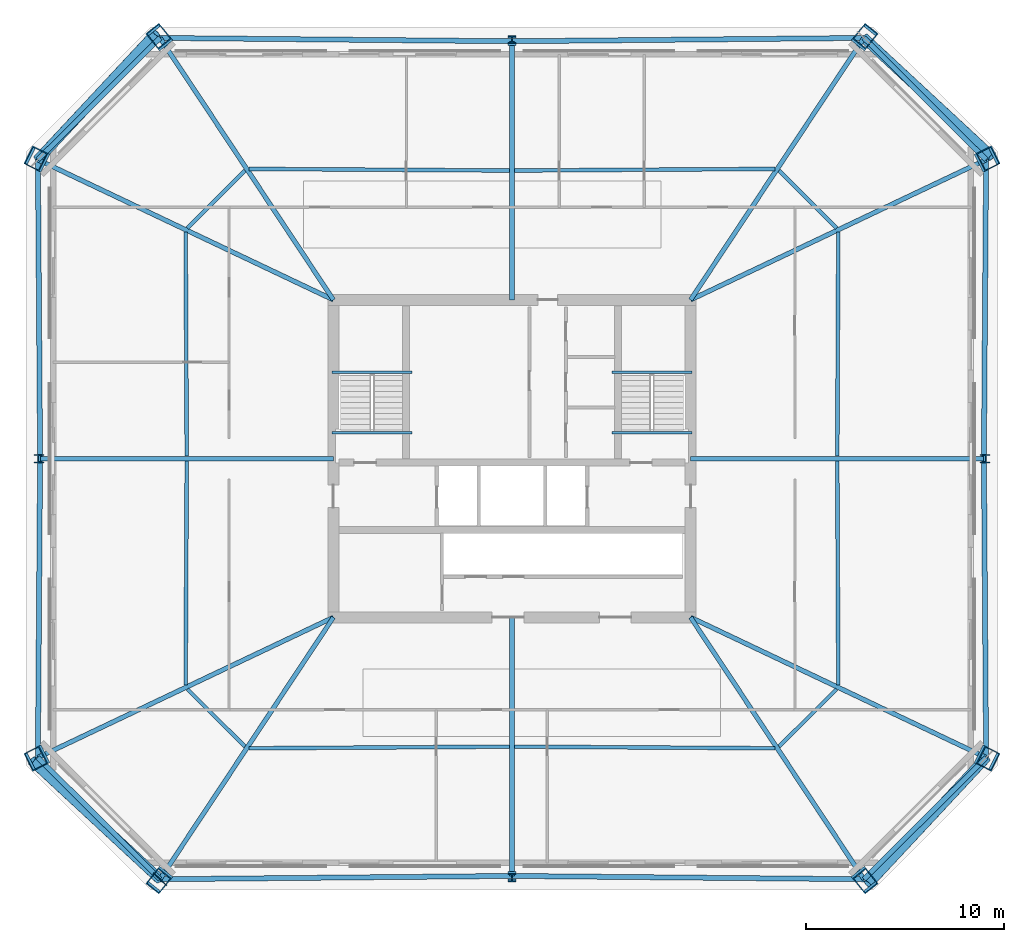
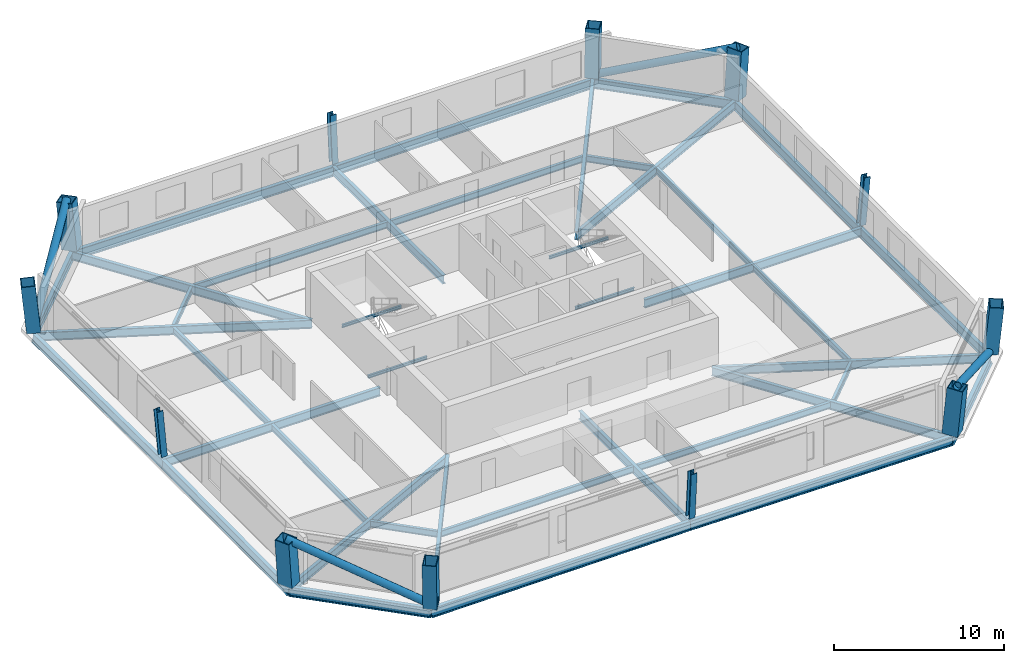
# One storey, part 1 of 7: 40 beams, 12 columns, 4 members, 1 plate.
"""IFC4 building model written with IfcOpenShell, lengths in metres."""

from ifc_helpers import new_model, si_unit, direction, frame, origin, origin_2d, place, context, subcontext, project, spatial, rectangle, hollow_rectangle, hollow_circle, i_section, extrude, material, layer, layer_set, material_profile, profile_set, type_object, element, save


model = new_model("IFC4")

# Units and contexts
model_context = context("Model", 3, precision=1e-05, world=origin(), true_north=direction((0.0, 1.0)))
body_context = subcontext(model_context, "Body", "Model", "MODEL_VIEW")
ifc_project = project(units=[si_unit("LENGTHUNIT", "METRE"), si_unit("AREAUNIT", "SQUARE_METRE"), si_unit("VOLUMEUNIT", "CUBIC_METRE"), si_unit("PLANEANGLEUNIT", "RADIAN"), si_unit("MASSUNIT", "GRAM", prefix="KILO")], contexts=[model_context])

# Site, building, storey
site_placement = place(None, origin())
site = spatial("IfcSite", under=ifc_project, at=site_placement, CompositionType="ELEMENT")
building_placement = place(site_placement, origin())
building = spatial("IfcBuilding", under=site, at=building_placement, Name="Caelvoria Tower", CompositionType="ELEMENT")
storey_placement = place(building_placement, frame((0.0, 0.0, 156.39990234375)))
storey = spatial("IfcBuildingStorey", under=building, at=storey_placement, Name="L41", CompositionType="ELEMENT", Elevation=156.39990234375)

# Columns
ifc_material_1 = material(Name="Structural Steel ASTM A572 Gr.50", Category="steel")
ifc_material_profile_1 = material_profile(ifc_material_1, hollow_rectangle(XDim=0.85009765625, YDim=1.0, WallThickness=0.050048828125, at=origin_2d()), Name="Structural Steel ASTM A572 Gr.50")
ifc_profile_set_1 = profile_set([ifc_material_profile_1], Name="BOX1000X850X50 - Structural Steel ASTM A572 Gr.50")
column_type_1 = type_object("IfcColumnType", Name="Mega Box Column 1000x850x50", PredefinedType="COLUMN", material=ifc_profile_set_1)
for number, where, z_axis, x_axis, name in (
    (1, (28.26220703125, 10.80224609375, 0.0), (-0.059345391748, -0.074109367256, 0.995482760355), (0.780571247111, -0.625066818975, 0.0), "Perimeter Megaframe Column L41-P00"),
    (2, (63.73779296875, 10.80224609375, 0.0), (0.059345391748, -0.074109367256, 0.995482760355), (0.780571247111, 0.625066818975, 0.0), "Perimeter Megaframe Column L41-P02"),
):
    element("IfcColumn", number, at=place(storey_placement, frame(where, z_axis=z_axis, x_axis=x_axis)), inside=storey, type_object=column_type_1, Name=name, PredefinedType="COLUMN", context=body_context, shape_type="SweptSolid", body=[
        extrude(hollow_rectangle(XDim=0.85009765625, YDim=1.0, WallThickness=0.050048828125, at=origin_2d()), origin(), (0.0, 0.0, 1.0), 3.373291015625),
    ])
for number, where, z_axis, x_axis, name in (
    (3, (69.89111328125, 16.93408203125, 0.0), (0.088690794811, -0.044634763783, 0.995058631829), (-0.888844480388, 0.447322222186, 0.099289068996), "Perimeter Megaframe Column L41-P03"),
    (4, (69.89111328125, 47.06591796875, 0.0), (0.088690794811, 0.044634763783, 0.995058631829), (-0.888844480388, -0.447322222186, 0.099289068996), "Perimeter Megaframe Column L41-P05"),
):
    element("IfcColumn", number, at=place(storey_placement, frame(where, z_axis=z_axis, x_axis=x_axis)), inside=storey, type_object=column_type_1, Name=name, PredefinedType="COLUMN", context=body_context, shape_type="SweptSolid", body=[
        extrude(hollow_rectangle(XDim=0.85009765625, YDim=1.0, WallThickness=0.050048828125, at=origin_2d()), origin(), (0.0, 0.0, 1.0), 3.374755859375),
    ])
for number, where, z_axis, x_axis, name in (
    (5, (63.73779296875, 53.19775390625, 0.0), (0.059345391748, 0.074109367256, 0.995482760355), (-0.780571247111, 0.625066818975, 0.0), "Perimeter Megaframe Column L41-P06"),
    (6, (28.26220703125, 53.19775390625, 0.0), (-0.059345391748, 0.074109367256, 0.995482760355), (-0.780571247111, -0.625066818975, 0.0), "Perimeter Megaframe Column L41-P08"),
):
    element("IfcColumn", number, at=place(storey_placement, frame(where, z_axis=z_axis, x_axis=x_axis)), inside=storey, type_object=column_type_1, Name=name, PredefinedType="COLUMN", context=body_context, shape_type="SweptSolid", body=[
        extrude(hollow_rectangle(XDim=0.85009765625, YDim=1.0, WallThickness=0.050048828125, at=origin_2d()), origin(), (0.0, 0.0, 1.0), 3.373291015625),
    ])
for number, where, z_axis, x_axis, name in (
    (7, (22.10888671875, 47.06591796875, 0.0), (-0.088690794811, 0.044634763783, 0.995058631829), (0.888844480388, -0.447322222186, 0.099289068996), "Perimeter Megaframe Column L41-P09"),
    (8, (22.10888671875, 16.93408203125, 0.0), (-0.088690794811, -0.044634763783, 0.995058631829), (0.888844480388, 0.447322222186, 0.099289068996), "Perimeter Megaframe Column L41-P11"),
):
    element("IfcColumn", number, at=place(storey_placement, frame(where, z_axis=z_axis, x_axis=x_axis)), inside=storey, type_object=column_type_1, Name=name, PredefinedType="COLUMN", context=body_context, shape_type="SweptSolid", body=[
        extrude(hollow_rectangle(XDim=0.85009765625, YDim=1.0, WallThickness=0.050048828125, at=origin_2d()), origin(), (0.0, 0.0, 1.0), 3.374755859375),
    ])
ifc_material_2 = material(Name="Structural Steel ASTM A992 Gr.50", Category="steel")
ifc_material_profile_2 = material_profile(ifc_material_2, i_section(OverallWidth=0.406005859375, OverallDepth=0.425048828125, WebThickness=0.03271484375, FlangeThickness=0.052490234375, FilletRadius=0.02490234375, at=origin_2d()), Name="Structural Steel ASTM A992 Gr.50")
ifc_profile_set_2 = profile_set([ifc_material_profile_2], Name="W360X421 - Structural Steel ASTM A992 Gr.50")
column_type_2 = type_object("IfcColumnType", Name="Mid Frame Column W360X421", PredefinedType="COLUMN", material=ifc_profile_set_2)
column_1_placement = place(storey_placement, frame((46.0, 10.969970703125, 0.0), z_axis=(0.0, -0.074240214963, 0.997240387511), x_axis=(1.0, 0.0, 0.0)))
element("IfcColumn", 9, at=column_1_placement, inside=storey, type_object=column_type_2, Name="Perimeter Megaframe Column L41-P01", PredefinedType="COLUMN", context=body_context, shape_type="SweptSolid", body=[
    extrude(i_section(OverallWidth=0.406005859375, OverallDepth=0.425048828125, WebThickness=0.03271484375, FlangeThickness=0.052490234375, FilletRadius=0.02490234375, at=origin_2d()), origin(), (0.0, 0.0, 1.0), 3.367431640625),
])
column_2_placement = place(storey_placement, frame((69.780029296875, 32.0, 0.0), z_axis=(0.088994797504, 0.0, 0.996032090857), x_axis=(-0.996032090857, 0.0, 0.088994797504)))
element("IfcColumn", 10, at=column_2_placement, inside=storey, type_object=column_type_2, Name="Perimeter Megaframe Column L41-P04", PredefinedType="COLUMN", context=body_context, shape_type="SweptSolid", body=[
    extrude(i_section(OverallWidth=0.406005859375, OverallDepth=0.425048828125, WebThickness=0.03271484375, FlangeThickness=0.052490234375, FilletRadius=0.02490234375, at=origin_2d()), origin(), (0.0, 0.0, 1.0), 3.37158203125),
])
column_3_placement = place(storey_placement, frame((46.0, 53.030029296875, 0.0), z_axis=(0.0, 0.074240214963, 0.997240387511), x_axis=(-1.0, 0.0, 0.0)))
element("IfcColumn", 11, at=column_3_placement, inside=storey, type_object=column_type_2, Name="Perimeter Megaframe Column L41-P07", PredefinedType="COLUMN", context=body_context, shape_type="SweptSolid", body=[
    extrude(i_section(OverallWidth=0.406005859375, OverallDepth=0.425048828125, WebThickness=0.03271484375, FlangeThickness=0.052490234375, FilletRadius=0.02490234375, at=origin_2d()), origin(), (0.0, 0.0, 1.0), 3.367431640625),
])
column_4_placement = place(storey_placement, frame((22.219970703125, 32.0, 0.0), z_axis=(-0.088994797504, 0.0, 0.996032090857), x_axis=(0.996032090857, 0.0, 0.088994797504)))
element("IfcColumn", 12, at=column_4_placement, inside=storey, type_object=column_type_2, Name="Perimeter Megaframe Column L41-P10", PredefinedType="COLUMN", context=body_context, shape_type="SweptSolid", body=[
    extrude(i_section(OverallWidth=0.406005859375, OverallDepth=0.425048828125, WebThickness=0.03271484375, FlangeThickness=0.052490234375, FilletRadius=0.02490234375, at=origin_2d()), origin(), (0.0, 0.0, 1.0), 3.37158203125),
])

# Beams
ifc_material_profile_3 = material_profile(ifc_material_2, i_section(OverallWidth=0.134033203125, OverallDepth=0.2099609375, WebThickness=0.00634765625, FlangeThickness=0.01025390625, FilletRadius=0.010009765625, at=origin_2d()), Name="Structural Steel ASTM A992 Gr.50")
ifc_profile_set_3 = profile_set([ifc_material_profile_3], Name="W200X31.3 - Structural Steel ASTM A992 Gr.50")
beam_type_1 = type_object("IfcBeamType", Name="Canopy Edge Trim Beam W200X31.3", PredefinedType="BEAM", material=ifc_profile_set_3)
for number, where, z_axis, x_axis, name in (
    (13, (36.929931640625, 36.35009765625, 1.4951171875), (1.0, 0.0, 0.0), (0.0, 1.0, 0.0), "ST-01 Half-Landing Support Beam L41"),
    (14, (36.929931640625, 33.300048828125, -0.304931640625), (1.0, 0.0, 0.0), (0.0, 1.0, 0.0), "ST-01 Floor-Landing Support Beam L41"),
    (15, (51.030029296875, 36.35009765625, 1.4951171875), (1.0, 0.0, 0.0), (0.0, 1.0, 0.0), "ST-02 Half-Landing Support Beam L41"),
    (16, (51.030029296875, 33.300048828125, -0.304931640625), (1.0, 0.0, 0.0), (0.0, 1.0, 0.0), "ST-02 Floor-Landing Support Beam L41"),
):
    element("IfcBeam", number, at=place(storey_placement, frame(where, z_axis=z_axis, x_axis=x_axis)), inside=storey, type_object=beam_type_1, Name=name, PredefinedType="BEAM", context=body_context, shape_type="SweptSolid", body=[
        extrude(i_section(OverallWidth=0.134033203125, OverallDepth=0.2099609375, WebThickness=0.00634765625, FlangeThickness=0.01025390625, FilletRadius=0.010009765625, at=origin_2d()), origin(), (0.0, 0.0, 1.0), 4.0400390625),
    ])

# Members
ifc_material_profile_4 = material_profile(ifc_material_1, hollow_circle(Radius=0.25390625, WallThickness=0.02001953125, at=origin_2d()), Name="Structural Steel ASTM A572 Gr.50")
ifc_profile_set_4 = profile_set([ifc_material_profile_4], Name="CHS508X20 - Structural Steel ASTM A572 Gr.50")
member_type = type_object("IfcMemberType", Name="Mid Perimeter Mega Brace CHS508X20", PredefinedType="BRACE", material=ifc_profile_set_4)
member_1_placement = place(storey_placement, frame((69.89111328125, 16.93408203125, 0.0), z_axis=(-0.636569176334, -0.682411346349, 0.359297144598), x_axis=(0.731241291659, -0.682118885073, 0.0)))
element("IfcMember", 17, at=member_1_placement, inside=storey, type_object=member_type, Name="Perimeter Chamfer Mega Brace L41 SE", PredefinedType="BRACE", context=body_context, shape_type="SweptSolid", body=[
    extrude(hollow_circle(Radius=0.25390625, WallThickness=0.02001953125, at=origin_2d()), origin(), (0.0, 0.0, 1.0), 9.351806640625),
])
member_2_placement = place(storey_placement, frame((63.73779296875, 53.19775390625, 0.0), z_axis=(0.685127601122, -0.635071551263, 0.356769246093), x_axis=(0.679807986992, 0.733390142299, 0.0)))
element("IfcMember", 18, at=member_2_placement, inside=storey, type_object=member_type, Name="Perimeter Chamfer Mega Brace L41 NE", PredefinedType="BRACE", context=body_context, shape_type="SweptSolid", body=[
    extrude(hollow_circle(Radius=0.25390625, WallThickness=0.02001953125, at=origin_2d()), origin(), (0.0, 0.0, 1.0), 9.418212890625),
])
member_3_placement = place(storey_placement, frame((22.10888671875, 47.06591796875, 0.0), z_axis=(0.636569176334, 0.682411346349, 0.359297144598), x_axis=(-0.731241291659, 0.682118885073, 0.0)))
element("IfcMember", 19, at=member_3_placement, inside=storey, type_object=member_type, Name="Perimeter Chamfer Mega Brace L41 NW", PredefinedType="BRACE", context=body_context, shape_type="SweptSolid", body=[
    extrude(hollow_circle(Radius=0.25390625, WallThickness=0.02001953125, at=origin_2d()), origin(), (0.0, 0.0, 1.0), 9.351806640625),
])
member_4_placement = place(storey_placement, frame((28.26220703125, 10.80224609375, 0.0), z_axis=(-0.685127601122, 0.635071551263, 0.356769246093), x_axis=(-0.679807986992, -0.733390142299, 0.0)))
element("IfcMember", 20, at=member_4_placement, inside=storey, type_object=member_type, Name="Perimeter Chamfer Mega Brace L41 SW", PredefinedType="BRACE", context=body_context, shape_type="SweptSolid", body=[
    extrude(hollow_circle(Radius=0.25390625, WallThickness=0.02001953125, at=origin_2d()), origin(), (0.0, 0.0, 1.0), 9.418212890625),
])

# Beams
ifc_material_profile_5 = material_profile(ifc_material_2, i_section(OverallWidth=0.25390625, OverallDepth=0.68798828125, WebThickness=0.01318359375, FlangeThickness=0.02099609375, FilletRadius=0.01904296875, at=origin_2d()), Name="Structural Steel ASTM A992 Gr.50")
ifc_profile_set_5 = profile_set([ifc_material_profile_5], Name="W690X152 - Structural Steel ASTM A992 Gr.50")
beam_type_2 = type_object("IfcBeamType", Name="Perimeter Spandrel Girder W690X152", PredefinedType="BEAM", material=ifc_profile_set_5)
for number, where, z_axis, x_axis, name in (
    (21, (28.26220703125, 10.80224609375, -0.583984375), (0.999955297141, 0.009455353995, 0.0), (-0.009455353995, 0.999955297141, 0.0), "Perimeter Spandrel Girder L41-00"),
    (22, (46.0, 10.969970703125, -0.583984375), (0.999955297141, -0.009455353995, 0.0), (0.009455353995, 0.999955297141, 0.0), "Perimeter Spandrel Girder L41-01"),
):
    element("IfcBeam", number, at=place(storey_placement, frame(where, z_axis=z_axis, x_axis=x_axis)), inside=storey, type_object=beam_type_2, Name=name, PredefinedType="BEAM", context=body_context, shape_type="SweptSolid", body=[
        extrude(i_section(OverallWidth=0.25390625, OverallDepth=0.68798828125, WebThickness=0.01318359375, FlangeThickness=0.02099609375, FilletRadius=0.01904296875, at=origin_2d()), origin(), (0.0, 0.0, 1.0), 17.738525390625),
    ])
beam_1_placement = place(storey_placement, frame((63.73779296875, 10.80224609375, -0.583984375), z_axis=(0.708342291751, 0.705869108063, 0.0), x_axis=(-0.705869108063, 0.708342291751, 0.0)))
element("IfcBeam", 23, at=beam_1_placement, inside=storey, type_object=beam_type_2, Name="Perimeter Spandrel Girder L41-02", PredefinedType="BEAM", context=body_context, shape_type="SweptSolid", body=[
    extrude(i_section(OverallWidth=0.25390625, OverallDepth=0.68798828125, WebThickness=0.01318359375, FlangeThickness=0.02099609375, FilletRadius=0.01904296875, at=origin_2d()), origin(), (0.0, 0.0, 1.0), 8.68701171875),
])
for number, where, z_axis, x_axis, name in (
    (24, (69.89111328125, 16.93408203125, -0.583984375), (-0.007372996803, 0.99997281909, 0.0), (-0.99997281909, -0.007372996803, 0.0), "Perimeter Spandrel Girder L41-03"),
    (25, (69.780029296875, 32.0, -0.583984375), (0.007372996803, 0.99997281909, 0.0), (-0.99997281909, 0.007372996803, 0.0), "Perimeter Spandrel Girder L41-04"),
):
    element("IfcBeam", number, at=place(storey_placement, frame(where, z_axis=z_axis, x_axis=x_axis)), inside=storey, type_object=beam_type_2, Name=name, PredefinedType="BEAM", context=body_context, shape_type="SweptSolid", body=[
        extrude(i_section(OverallWidth=0.25390625, OverallDepth=0.68798828125, WebThickness=0.01318359375, FlangeThickness=0.02099609375, FilletRadius=0.01904296875, at=origin_2d()), origin(), (0.0, 0.0, 1.0), 15.06640625),
    ])
beam_2_placement = place(storey_placement, frame((69.89111328125, 47.06591796875, -0.583984375), z_axis=(-0.708342291751, 0.705869108063, 0.0), x_axis=(-0.705869108063, -0.708342291751, 0.0)))
element("IfcBeam", 26, at=beam_2_placement, inside=storey, type_object=beam_type_2, Name="Perimeter Spandrel Girder L41-05", PredefinedType="BEAM", context=body_context, shape_type="SweptSolid", body=[
    extrude(i_section(OverallWidth=0.25390625, OverallDepth=0.68798828125, WebThickness=0.01318359375, FlangeThickness=0.02099609375, FilletRadius=0.01904296875, at=origin_2d()), origin(), (0.0, 0.0, 1.0), 8.68701171875),
])
for number, where, z_axis, x_axis, name in (
    (27, (63.73779296875, 53.19775390625, -0.583984375), (-0.999955297141, -0.009455353995, 0.0), (0.009455353995, -0.999955297141, 0.0), "Perimeter Spandrel Girder L41-06"),
    (28, (46.0, 53.030029296875, -0.583984375), (-0.999955297141, 0.009455353995, 0.0), (-0.009455353995, -0.999955297141, 0.0), "Perimeter Spandrel Girder L41-07"),
):
    element("IfcBeam", number, at=place(storey_placement, frame(where, z_axis=z_axis, x_axis=x_axis)), inside=storey, type_object=beam_type_2, Name=name, PredefinedType="BEAM", context=body_context, shape_type="SweptSolid", body=[
        extrude(i_section(OverallWidth=0.25390625, OverallDepth=0.68798828125, WebThickness=0.01318359375, FlangeThickness=0.02099609375, FilletRadius=0.01904296875, at=origin_2d()), origin(), (0.0, 0.0, 1.0), 17.738525390625),
    ])
beam_3_placement = place(storey_placement, frame((28.26220703125, 53.19775390625, -0.583984375), z_axis=(-0.708342291751, -0.705869108063, 0.0), x_axis=(0.705869108063, -0.708342291751, 0.0)))
element("IfcBeam", 29, at=beam_3_placement, inside=storey, type_object=beam_type_2, Name="Perimeter Spandrel Girder L41-08", PredefinedType="BEAM", context=body_context, shape_type="SweptSolid", body=[
    extrude(i_section(OverallWidth=0.25390625, OverallDepth=0.68798828125, WebThickness=0.01318359375, FlangeThickness=0.02099609375, FilletRadius=0.01904296875, at=origin_2d()), origin(), (0.0, 0.0, 1.0), 8.68701171875),
])
for number, where, z_axis, x_axis, name in (
    (30, (22.10888671875, 47.06591796875, -0.583984375), (0.007372996803, -0.99997281909, 0.0), (0.99997281909, 0.007372996803, 0.0), "Perimeter Spandrel Girder L41-09"),
    (31, (22.219970703125, 32.0, -0.583984375), (-0.007372996803, -0.99997281909, 0.0), (0.99997281909, -0.007372996803, 0.0), "Perimeter Spandrel Girder L41-10"),
):
    element("IfcBeam", number, at=place(storey_placement, frame(where, z_axis=z_axis, x_axis=x_axis)), inside=storey, type_object=beam_type_2, Name=name, PredefinedType="BEAM", context=body_context, shape_type="SweptSolid", body=[
        extrude(i_section(OverallWidth=0.25390625, OverallDepth=0.68798828125, WebThickness=0.01318359375, FlangeThickness=0.02099609375, FilletRadius=0.01904296875, at=origin_2d()), origin(), (0.0, 0.0, 1.0), 15.06640625),
    ])
beam_4_placement = place(storey_placement, frame((22.10888671875, 16.93408203125, -0.583984375), z_axis=(0.708342291751, -0.705869108063, 0.0), x_axis=(0.705869108063, 0.708342291751, 0.0)))
element("IfcBeam", 32, at=beam_4_placement, inside=storey, type_object=beam_type_2, Name="Perimeter Spandrel Girder L41-11", PredefinedType="BEAM", context=body_context, shape_type="SweptSolid", body=[
    extrude(i_section(OverallWidth=0.25390625, OverallDepth=0.68798828125, WebThickness=0.01318359375, FlangeThickness=0.02099609375, FilletRadius=0.01904296875, at=origin_2d()), origin(), (0.0, 0.0, 1.0), 8.68701171875),
])
ifc_material_profile_6 = material_profile(ifc_material_2, i_section(OverallWidth=0.22900390625, OverallDepth=0.612060546875, WebThickness=0.011962890625, FlangeThickness=0.01953125, FilletRadius=0.01806640625, at=origin_2d()), Name="Structural Steel ASTM A992 Gr.50")
ifc_profile_set_6 = profile_set([ifc_material_profile_6], Name="W610X125 - Structural Steel ASTM A992 Gr.50")
beam_type_3 = type_object("IfcBeamType", Name="Primary Radial Floor Girder W610X125", PredefinedType="BEAM", material=ifc_profile_set_6)
beam_5_placement = place(storey_placement, frame((37.0, 24.0, -0.5458984375), z_axis=(-0.552041988613, -0.83381631239, 0.0), x_axis=(0.83381631239, -0.552041988613, 0.0)))
element("IfcBeam", 33, at=beam_5_placement, inside=storey, type_object=beam_type_3, Name="Primary Floor Girder L41-00", PredefinedType="BEAM", context=body_context, shape_type="SweptSolid", body=[
    extrude(i_section(OverallWidth=0.22900390625, OverallDepth=0.612060546875, WebThickness=0.011962890625, FlangeThickness=0.01953125, FilletRadius=0.01806640625, at=origin_2d()), origin(), (0.0, 0.0, 1.0), 15.828125),
])
beam_6_placement = place(storey_placement, frame((46.0, 24.0, -0.5458984375), z_axis=(0.0, -1.0, 0.0), x_axis=(1.0, 0.0, 0.0)))
element("IfcBeam", 34, at=beam_6_placement, inside=storey, type_object=beam_type_3, Name="Primary Floor Girder L41-01", PredefinedType="BEAM", context=body_context, shape_type="SweptSolid", body=[
    extrude(i_section(OverallWidth=0.22900390625, OverallDepth=0.612060546875, WebThickness=0.011962890625, FlangeThickness=0.01953125, FilletRadius=0.01806640625, at=origin_2d()), origin(), (0.0, 0.0, 1.0), 13.030029296875),
])
beam_7_placement = place(storey_placement, frame((55.0, 24.0, -0.5458984375), z_axis=(0.552041988613, -0.83381631239, 0.0), x_axis=(0.83381631239, 0.552041988613, 0.0)))
element("IfcBeam", 35, at=beam_7_placement, inside=storey, type_object=beam_type_3, Name="Primary Floor Girder L41-02", PredefinedType="BEAM", context=body_context, shape_type="SweptSolid", body=[
    extrude(i_section(OverallWidth=0.22900390625, OverallDepth=0.612060546875, WebThickness=0.011962890625, FlangeThickness=0.01953125, FilletRadius=0.01806640625, at=origin_2d()), origin(), (0.0, 0.0, 1.0), 15.828125),
])
beam_8_placement = place(storey_placement, frame((55.0, 24.0, -0.5458984375), z_axis=(0.903450508343, -0.428692406015, 0.0), x_axis=(0.428692406015, 0.903450508343, 0.0)))
element("IfcBeam", 36, at=beam_8_placement, inside=storey, type_object=beam_type_3, Name="Primary Floor Girder L41-03", PredefinedType="BEAM", context=body_context, shape_type="SweptSolid", body=[
    extrude(i_section(OverallWidth=0.22900390625, OverallDepth=0.612060546875, WebThickness=0.011962890625, FlangeThickness=0.01953125, FilletRadius=0.01806640625, at=origin_2d()), origin(), (0.0, 0.0, 1.0), 16.482421875),
])
beam_9_placement = place(storey_placement, frame((55.0, 32.0, -0.5458984375), z_axis=(1.0, 0.0, 0.0), x_axis=(0.0, 1.0, 0.0)))
element("IfcBeam", 37, at=beam_9_placement, inside=storey, type_object=beam_type_3, Name="Primary Floor Girder L41-04", PredefinedType="BEAM", context=body_context, shape_type="SweptSolid", body=[
    extrude(i_section(OverallWidth=0.22900390625, OverallDepth=0.612060546875, WebThickness=0.011962890625, FlangeThickness=0.01953125, FilletRadius=0.01806640625, at=origin_2d()), origin(), (0.0, 0.0, 1.0), 14.780029296875),
])
beam_10_placement = place(storey_placement, frame((55.0, 40.0, -0.5458984375), z_axis=(0.903450508343, 0.428692406015, 0.0), x_axis=(-0.428692406015, 0.903450508343, 0.0)))
element("IfcBeam", 38, at=beam_10_placement, inside=storey, type_object=beam_type_3, Name="Primary Floor Girder L41-05", PredefinedType="BEAM", context=body_context, shape_type="SweptSolid", body=[
    extrude(i_section(OverallWidth=0.22900390625, OverallDepth=0.612060546875, WebThickness=0.011962890625, FlangeThickness=0.01953125, FilletRadius=0.01806640625, at=origin_2d()), origin(), (0.0, 0.0, 1.0), 16.482421875),
])
beam_11_placement = place(storey_placement, frame((55.0, 40.0, -0.5458984375), z_axis=(0.552041988613, 0.83381631239, 0.0), x_axis=(-0.83381631239, 0.552041988613, 0.0)))
element("IfcBeam", 39, at=beam_11_placement, inside=storey, type_object=beam_type_3, Name="Primary Floor Girder L41-06", PredefinedType="BEAM", context=body_context, shape_type="SweptSolid", body=[
    extrude(i_section(OverallWidth=0.22900390625, OverallDepth=0.612060546875, WebThickness=0.011962890625, FlangeThickness=0.01953125, FilletRadius=0.01806640625, at=origin_2d()), origin(), (0.0, 0.0, 1.0), 15.828125),
])
beam_12_placement = place(storey_placement, frame((46.0, 40.0, -0.5458984375), z_axis=(0.0, 1.0, 0.0), x_axis=(-1.0, 0.0, 0.0)))
element("IfcBeam", 40, at=beam_12_placement, inside=storey, type_object=beam_type_3, Name="Primary Floor Girder L41-07", PredefinedType="BEAM", context=body_context, shape_type="SweptSolid", body=[
    extrude(i_section(OverallWidth=0.22900390625, OverallDepth=0.612060546875, WebThickness=0.011962890625, FlangeThickness=0.01953125, FilletRadius=0.01806640625, at=origin_2d()), origin(), (0.0, 0.0, 1.0), 13.030029296875),
])
beam_13_placement = place(storey_placement, frame((37.0, 40.0, -0.5458984375), z_axis=(-0.552041988613, 0.83381631239, 0.0), x_axis=(-0.83381631239, -0.552041988613, 0.0)))
element("IfcBeam", 41, at=beam_13_placement, inside=storey, type_object=beam_type_3, Name="Primary Floor Girder L41-08", PredefinedType="BEAM", context=body_context, shape_type="SweptSolid", body=[
    extrude(i_section(OverallWidth=0.22900390625, OverallDepth=0.612060546875, WebThickness=0.011962890625, FlangeThickness=0.01953125, FilletRadius=0.01806640625, at=origin_2d()), origin(), (0.0, 0.0, 1.0), 15.828125),
])
beam_14_placement = place(storey_placement, frame((37.0, 40.0, -0.5458984375), z_axis=(-0.903450508343, 0.428692406015, 0.0), x_axis=(-0.428692406015, -0.903450508343, 0.0)))
element("IfcBeam", 42, at=beam_14_placement, inside=storey, type_object=beam_type_3, Name="Primary Floor Girder L41-09", PredefinedType="BEAM", context=body_context, shape_type="SweptSolid", body=[
    extrude(i_section(OverallWidth=0.22900390625, OverallDepth=0.612060546875, WebThickness=0.011962890625, FlangeThickness=0.01953125, FilletRadius=0.01806640625, at=origin_2d()), origin(), (0.0, 0.0, 1.0), 16.482421875),
])
beam_15_placement = place(storey_placement, frame((37.0, 32.0, -0.5458984375), z_axis=(-1.0, 0.0, 0.0), x_axis=(0.0, -1.0, 0.0)))
element("IfcBeam", 43, at=beam_15_placement, inside=storey, type_object=beam_type_3, Name="Primary Floor Girder L41-10", PredefinedType="BEAM", context=body_context, shape_type="SweptSolid", body=[
    extrude(i_section(OverallWidth=0.22900390625, OverallDepth=0.612060546875, WebThickness=0.011962890625, FlangeThickness=0.01953125, FilletRadius=0.01806640625, at=origin_2d()), origin(), (0.0, 0.0, 1.0), 14.780029296875),
])
beam_16_placement = place(storey_placement, frame((37.0, 24.0, -0.5458984375), z_axis=(-0.903450508343, -0.428692406015, 0.0), x_axis=(0.428692406015, -0.903450508343, 0.0)))
element("IfcBeam", 44, at=beam_16_placement, inside=storey, type_object=beam_type_3, Name="Primary Floor Girder L41-11", PredefinedType="BEAM", context=body_context, shape_type="SweptSolid", body=[
    extrude(i_section(OverallWidth=0.22900390625, OverallDepth=0.612060546875, WebThickness=0.011962890625, FlangeThickness=0.01953125, FilletRadius=0.01806640625, at=origin_2d()), origin(), (0.0, 0.0, 1.0), 16.482421875),
])
ifc_material_profile_7 = material_profile(ifc_material_2, i_section(OverallWidth=0.18994140625, OverallDepth=0.45703125, WebThickness=0.009033203125, FlangeThickness=0.014404296875, FilletRadius=0.014892578125, at=origin_2d()), Name="Structural Steel ASTM A992 Gr.50")
ifc_profile_set_7 = profile_set([ifc_material_profile_7], Name="W460X74 - Structural Steel ASTM A992 Gr.50")
beam_type_4 = type_object("IfcBeamType", Name="Secondary Floor Beam W460X74", PredefinedType="BEAM", material=ifc_profile_set_7)
for number, where, z_axis, x_axis, name in (
    (45, (32.756103515625, 17.40185546875, -0.468505859375), (0.999980334613, 0.006271394301, 0.0), (-0.006271394301, 0.999980334613, 0.0), "Secondary Floor Beam L41-00"),
    (46, (46.125, 17.484130859375, -0.468505859375), (0.999980334613, -0.006271394301, 0.0), (0.006271394301, 0.999980334613, 0.0), "Secondary Floor Beam L41-01"),
):
    element("IfcBeam", number, at=place(storey_placement, frame(where, z_axis=z_axis, x_axis=x_axis)), inside=storey, type_object=beam_type_4, Name=name, PredefinedType="BEAM", context=body_context, shape_type="SweptSolid", body=[
        extrude(i_section(OverallWidth=0.18994140625, OverallDepth=0.45703125, WebThickness=0.009033203125, FlangeThickness=0.014404296875, FilletRadius=0.014892578125, at=origin_2d()), origin(), (0.0, 0.0, 1.0), 13.119140625),
    ])
beam_17_placement = place(storey_placement, frame((59.45751953125, 17.4892578125, -0.468505859375), z_axis=(0.708298598602, 0.705912951587, 0.0), x_axis=(-0.705912951587, 0.708298598602, 0.0)))
element("IfcBeam", 47, at=beam_17_placement, inside=storey, type_object=beam_type_4, Name="Secondary Floor Beam L41-02", PredefinedType="BEAM", context=body_context, shape_type="SweptSolid", body=[
    extrude(i_section(OverallWidth=0.18994140625, OverallDepth=0.45703125, WebThickness=0.009033203125, FlangeThickness=0.014404296875, FilletRadius=0.014892578125, at=origin_2d()), origin(), (0.0, 0.0, 1.0), 4.093505859375),
])
for number, where, z_axis, x_axis, name in (
    (48, (62.44482421875, 20.592041015625, -0.468505859375), (-0.004803579763, 0.999988462744, 0.0), (-0.999988462744, -0.004803579763, 0.0), "Secondary Floor Beam L41-03"),
    (49, (62.390625, 32.125, -0.468505859375), (0.004803579763, 0.999988462744, 0.0), (-0.999988462744, 0.004803579763, 0.0), "Secondary Floor Beam L41-04"),
):
    element("IfcBeam", number, at=place(storey_placement, frame(where, z_axis=z_axis, x_axis=x_axis)), inside=storey, type_object=beam_type_4, Name=name, PredefinedType="BEAM", context=body_context, shape_type="SweptSolid", body=[
        extrude(i_section(OverallWidth=0.18994140625, OverallDepth=0.45703125, WebThickness=0.009033203125, FlangeThickness=0.014404296875, FilletRadius=0.014892578125, at=origin_2d()), origin(), (0.0, 0.0, 1.0), 11.283203125),
    ])
beam_18_placement = place(storey_placement, frame((62.35693359375, 43.62109375, -0.468505859375), z_axis=(-0.708298598602, 0.705912951587, 0.0), x_axis=(-0.705912951587, -0.708298598602, 0.0)))
element("IfcBeam", 50, at=beam_18_placement, inside=storey, type_object=beam_type_4, Name="Secondary Floor Beam L41-05", PredefinedType="BEAM", context=body_context, shape_type="SweptSolid", body=[
    extrude(i_section(OverallWidth=0.18994140625, OverallDepth=0.45703125, WebThickness=0.009033203125, FlangeThickness=0.014404296875, FilletRadius=0.014892578125, at=origin_2d()), origin(), (0.0, 0.0, 1.0), 4.093505859375),
])
for number, where, z_axis, x_axis, name in (
    (51, (59.243896484375, 46.59814453125, -0.468505859375), (-0.999980334613, -0.006271394301, 0.0), (0.006271394301, -0.999980334613, 0.0), "Secondary Floor Beam L41-06"),
    (52, (45.875, 46.515869140625, -0.468505859375), (-0.999980334613, 0.006271394301, 0.0), (-0.006271394301, -0.999980334613, 0.0), "Secondary Floor Beam L41-07"),
):
    element("IfcBeam", number, at=place(storey_placement, frame(where, z_axis=z_axis, x_axis=x_axis)), inside=storey, type_object=beam_type_4, Name=name, PredefinedType="BEAM", context=body_context, shape_type="SweptSolid", body=[
        extrude(i_section(OverallWidth=0.18994140625, OverallDepth=0.45703125, WebThickness=0.009033203125, FlangeThickness=0.014404296875, FilletRadius=0.014892578125, at=origin_2d()), origin(), (0.0, 0.0, 1.0), 13.119140625),
    ])
beam_19_placement = place(storey_placement, frame((32.54248046875, 46.5107421875, -0.468505859375), z_axis=(-0.708298598602, -0.705912951587, 0.0), x_axis=(0.705912951587, -0.708298598602, 0.0)))
element("IfcBeam", 53, at=beam_19_placement, inside=storey, type_object=beam_type_4, Name="Secondary Floor Beam L41-08", PredefinedType="BEAM", context=body_context, shape_type="SweptSolid", body=[
    extrude(i_section(OverallWidth=0.18994140625, OverallDepth=0.45703125, WebThickness=0.009033203125, FlangeThickness=0.014404296875, FilletRadius=0.014892578125, at=origin_2d()), origin(), (0.0, 0.0, 1.0), 4.093505859375),
])
for number, where, z_axis, x_axis, name in (
    (54, (29.55517578125, 43.407958984375, -0.468505859375), (0.004803579763, -0.999988462744, 0.0), (0.999988462744, 0.004803579763, 0.0), "Secondary Floor Beam L41-09"),
    (55, (29.609375, 31.875, -0.468505859375), (-0.004803579763, -0.999988462744, 0.0), (0.999988462744, -0.004803579763, 0.0), "Secondary Floor Beam L41-10"),
):
    element("IfcBeam", number, at=place(storey_placement, frame(where, z_axis=z_axis, x_axis=x_axis)), inside=storey, type_object=beam_type_4, Name=name, PredefinedType="BEAM", context=body_context, shape_type="SweptSolid", body=[
        extrude(i_section(OverallWidth=0.18994140625, OverallDepth=0.45703125, WebThickness=0.009033203125, FlangeThickness=0.014404296875, FilletRadius=0.014892578125, at=origin_2d()), origin(), (0.0, 0.0, 1.0), 11.283203125),
    ])
beam_20_placement = place(storey_placement, frame((29.64306640625, 20.37890625, -0.468505859375), z_axis=(0.708298598602, -0.705912951587, 0.0), x_axis=(0.705912951587, 0.708298598602, 0.0)))
element("IfcBeam", 56, at=beam_20_placement, inside=storey, type_object=beam_type_4, Name="Secondary Floor Beam L41-11", PredefinedType="BEAM", context=body_context, shape_type="SweptSolid", body=[
    extrude(i_section(OverallWidth=0.18994140625, OverallDepth=0.45703125, WebThickness=0.009033203125, FlangeThickness=0.014404296875, FilletRadius=0.014892578125, at=origin_2d()), origin(), (0.0, 0.0, 1.0), 4.093505859375),
])

# Plate
ifc_layer = layer(ifc_material_1, 0.0400390625, Name="Structural Steel ASTM A572 Gr.50")
ifc_layer_set = layer_set([ifc_layer], Name="Megaframe Node Gusset Plate 900x600x40 - Structural Steel ASTM A572 Gr.50")
plate_type = type_object("IfcPlateType", Name="Megaframe Node Gusset Plate 900x600x40", PredefinedType="USERDEFINED", material=ifc_layer_set)
plate_placement = place(storey_placement, frame((28.26220703125, 10.80224609375, 0.02001953125), z_axis=(0.0, 0.0, 1.0), x_axis=(-0.733388247375, 0.679810031268, 0.0)))
element("IfcPlate", 57, at=plate_placement, inside=storey, type_object=plate_type, Name="Chamfer Mega Brace Gusset L41 SW", ObjectType="GUSSET_PLATE", PredefinedType="USERDEFINED", context=body_context, shape_type="SweptSolid", body=[
    extrude(rectangle(XDim=0.89990234375, YDim=0.0400390625, at=origin_2d()), origin(), (0.0, 0.0, 1.0), 0.60009765625),
])

save(model, "model.ifc")
